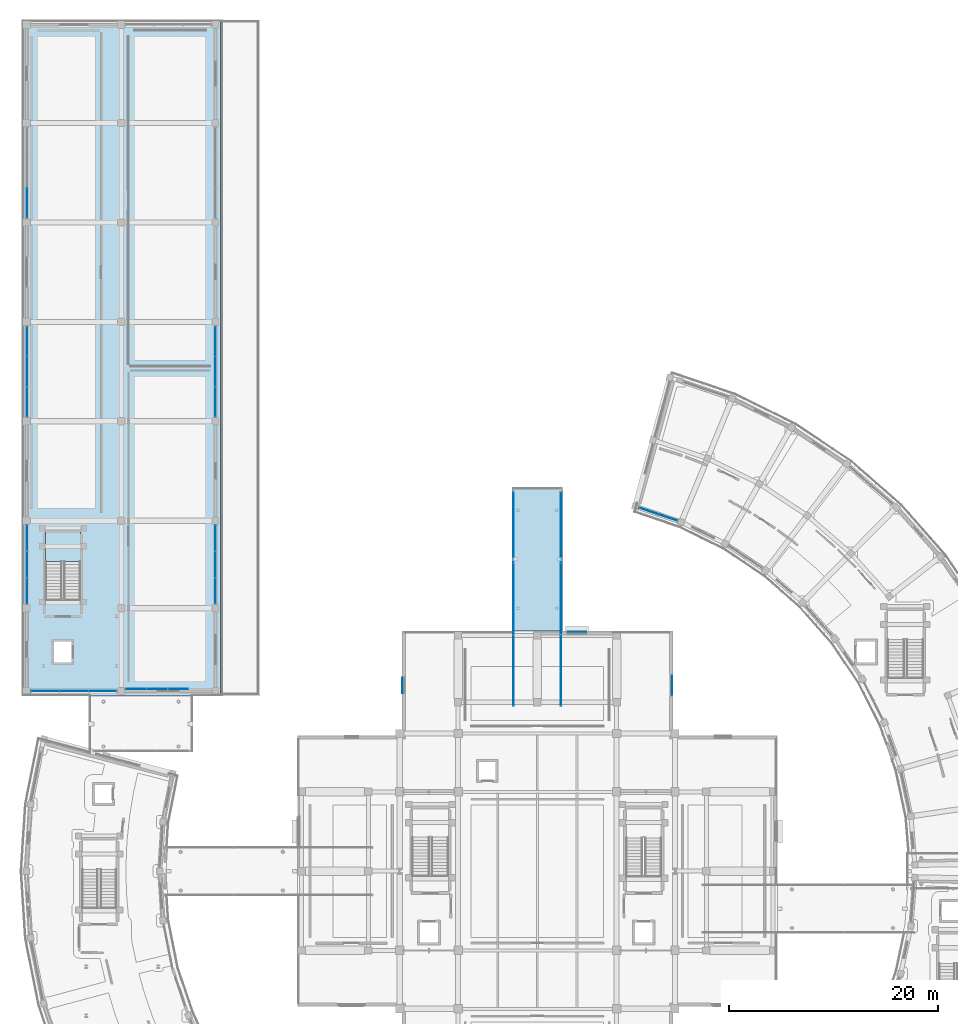
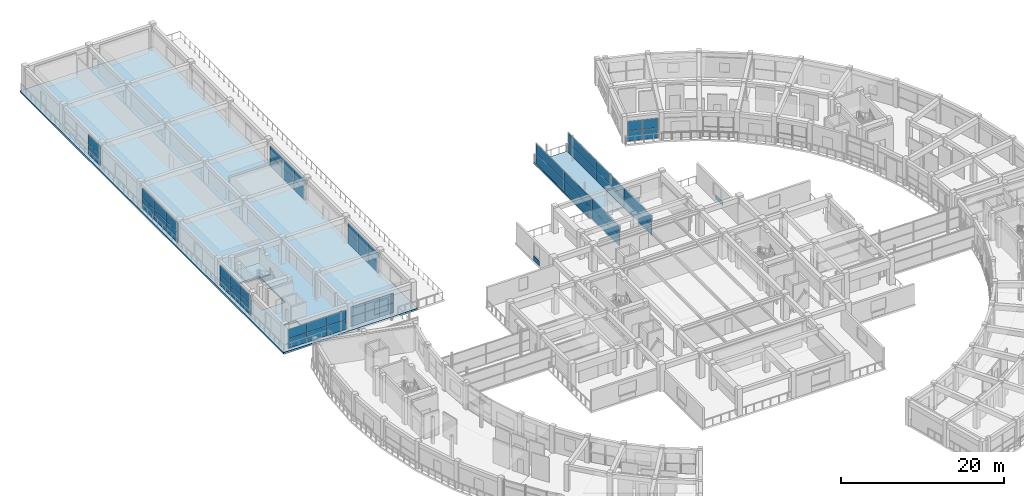
# One storey, part 41 of 70: 57 plates, 3 slabs, 11 elements without a shape of their own.
"""IFC4 building model written with IfcOpenShell, lengths in metres."""

from ifc_helpers import new_model, si_unit, direction, frame, origin, origin_2d, place, context, subcontext, project, spatial, polyline, rectangle, outline, extrude, material, layer, layer_set, type_object, element, aggregate, save


model = new_model("IFC4")

# Units and contexts
model_context = context("Model", 3, precision=1e-05, world=origin(), true_north=direction((0.0, 1.0)))
body_context = subcontext(model_context, "Body", "Model", "MODEL_VIEW")
ifc_project = project(units=[si_unit("LENGTHUNIT", "METRE"), si_unit("AREAUNIT", "SQUARE_METRE"), si_unit("VOLUMEUNIT", "CUBIC_METRE"), si_unit("PLANEANGLEUNIT", "RADIAN"), si_unit("MASSUNIT", "GRAM", prefix="KILO")], contexts=[model_context])

# Site, building, storey
site_placement = place(None, origin())
site = spatial("IfcSite", under=ifc_project, at=site_placement, CompositionType="ELEMENT")
building_placement = place(site_placement, origin())
building = spatial("IfcBuilding", under=site, at=building_placement, Name="Saryqyr Civic Hall", CompositionType="ELEMENT")
storey_placement = place(building_placement, frame((0.0, 0.0, 13.199951171875)))
storey = spatial("IfcBuildingStorey", under=building, at=storey_placement, Name="L03", CompositionType="ELEMENT", Elevation=13.199951171875)

# Curtain wall, plates
ifc_material_1 = material(Name="Anodised aluminium and triple low-E glass", Category="aluminium")
curtain_wall_type_1 = type_object("IfcCurtainWallType", Name="ENV-CW-STD-21", PredefinedType="NOTDEFINED", material=ifc_material_1)
curtain_wall_1_placement = place(storey_placement, origin())
curtain_wall_1 = element("IfcCurtainWall", 1, at=curtain_wall_1_placement, inside=storey, type_object=curtain_wall_type_1, Name="Curtain wall V6-CWI-L03-09", PredefinedType="NOTDEFINED")
ifc_material_2 = material(Name="Triple low-E insulated glazing", Category="glass")
ifc_layer_1 = layer(ifc_material_2, 0.053955078125, Name="Triple low-E insulated glazing")
ifc_layer_set_1 = layer_set([ifc_layer_1], Name="Triple low-E insulated glazing")
plate_type_1 = type_object("IfcPlateType", Name="ENV-CW-PNL-38", PredefinedType="CURTAIN_PANEL", material=ifc_layer_set_1)
plate_1_placement = place(storey_placement, frame((69.50634765625, 117.904541015625, 0.06005859375), z_axis=(0.0, 0.0, 1.0), x_axis=(-0.947202392558, 0.320636285428, 0.0)))
plate_1 = element("IfcPlate", 2, at=plate_1_placement, type_object=plate_type_1, Name="CW-21 panel 1.1", PredefinedType="CURTAIN_PANEL", context=body_context, shape_type="SweptSolid", body=[
    extrude(rectangle(XDim=1.888671875, YDim=0.053955078125, at=origin_2d()), origin(), (0.0, 0.0, 1.0), 1.491943359375),
])
plate_2_placement = place(storey_placement, frame((69.50634765625, 117.904541015625, 1.6123046875), z_axis=(0.0, 0.0, 1.0), x_axis=(-0.947202392558, 0.320636285428, 0.0)))
plate_2 = element("IfcPlate", 3, at=plate_2_placement, type_object=plate_type_1, Name="CW-21 panel 1.2", PredefinedType="CURTAIN_PANEL", context=body_context, shape_type="SweptSolid", body=[
    extrude(rectangle(XDim=1.888671875, YDim=0.053955078125, at=origin_2d()), origin(), (0.0, 0.0, 1.0), 1.492919921875),
])
plate_3_placement = place(storey_placement, frame((67.66064453125, 118.529296875, 0.06005859375), z_axis=(0.0, 0.0, 1.0), x_axis=(-0.947202392558, 0.320636285428, 0.0)))
plate_3 = element("IfcPlate", 4, at=plate_3_placement, type_object=plate_type_1, Name="CW-21 panel 2.1", PredefinedType="CURTAIN_PANEL", context=body_context, shape_type="SweptSolid", body=[
    extrude(rectangle(XDim=1.888671875, YDim=0.053955078125, at=origin_2d()), origin(), (0.0, 0.0, 1.0), 1.491943359375),
])
plate_4_placement = place(storey_placement, frame((67.66064453125, 118.529296875, 1.6123046875), z_axis=(0.0, 0.0, 1.0), x_axis=(-0.947202392558, 0.320636285428, 0.0)))
plate_4 = element("IfcPlate", 5, at=plate_4_placement, type_object=plate_type_1, Name="CW-21 panel 2.2", PredefinedType="CURTAIN_PANEL", context=body_context, shape_type="SweptSolid", body=[
    extrude(rectangle(XDim=1.888671875, YDim=0.053955078125, at=origin_2d()), origin(), (0.0, 0.0, 1.0), 1.492919921875),
])
aggregate(curtain_wall_1, [plate_1, plate_2, plate_3, plate_4])

curtain_wall_type_2 = type_object("IfcCurtainWallType", Name="ENV-CW-STD-51", PredefinedType="NOTDEFINED", material=ifc_material_1)
curtain_wall_2_placement = place(storey_placement, origin())
curtain_wall_2 = element("IfcCurtainWall", 6, at=curtain_wall_2_placement, inside=storey, type_object=curtain_wall_type_2, Name="Curtain wall V3-CW-L03-0-1", PredefinedType="NOTDEFINED")
plate_5_placement = place(storey_placement, frame((15.316650390625, 101.25, 0.06005859375), z_axis=(0.0, 0.0, 1.0), x_axis=(-1.0, 0.0, 0.0)))
plate_5 = element("IfcPlate", 7, at=plate_5_placement, type_object=plate_type_1, Name="CW-51 panel 1.1", PredefinedType="CURTAIN_PANEL", context=body_context, shape_type="SweptSolid", body=[
    extrude(rectangle(XDim=2.666748046875, YDim=0.053955078125, at=origin_2d()), origin(), (0.0, 0.0, 1.0), 1.4169921875),
])
plate_6_placement = place(storey_placement, frame((15.316650390625, 101.25, 1.537109375), z_axis=(0.0, 0.0, 1.0), x_axis=(-1.0, 0.0, 0.0)))
plate_6 = element("IfcPlate", 8, at=plate_6_placement, type_object=plate_type_1, Name="CW-51 panel 1.2", PredefinedType="CURTAIN_PANEL", context=body_context, shape_type="SweptSolid", body=[
    extrude(rectangle(XDim=2.666748046875, YDim=0.053955078125, at=origin_2d()), origin(), (0.0, 0.0, 1.0), 1.41796875),
])
plate_7_placement = place(storey_placement, frame((12.574951171875, 101.25, 0.06005859375), z_axis=(0.0, 0.0, 1.0), x_axis=(-1.0, 0.0, 0.0)))
plate_7 = element("IfcPlate", 9, at=plate_7_placement, type_object=plate_type_1, Name="CW-51 panel 2.1", PredefinedType="CURTAIN_PANEL", context=body_context, shape_type="SweptSolid", body=[
    extrude(rectangle(XDim=2.69677734375, YDim=0.053955078125, at=origin_2d()), origin(), (0.0, 0.0, 1.0), 1.4169921875),
])
plate_8_placement = place(storey_placement, frame((12.574951171875, 101.25, 1.537109375), z_axis=(0.0, 0.0, 1.0), x_axis=(-1.0, 0.0, 0.0)))
plate_8 = element("IfcPlate", 10, at=plate_8_placement, type_object=plate_type_1, Name="CW-51 panel 2.2", PredefinedType="CURTAIN_PANEL", context=body_context, shape_type="SweptSolid", body=[
    extrude(rectangle(XDim=2.69677734375, YDim=0.053955078125, at=origin_2d()), origin(), (0.0, 0.0, 1.0), 1.41796875),
])
plate_9_placement = place(storey_placement, frame((9.833251953125, 101.25, 0.06005859375), z_axis=(0.0, 0.0, 1.0), x_axis=(-1.0, 0.0, 0.0)))
plate_9 = element("IfcPlate", 11, at=plate_9_placement, type_object=plate_type_1, Name="CW-51 panel 3.1", PredefinedType="CURTAIN_PANEL", context=body_context, shape_type="SweptSolid", body=[
    extrude(rectangle(XDim=2.666748046875, YDim=0.053955078125, at=origin_2d()), origin(), (0.0, 0.0, 1.0), 1.4169921875),
])
plate_10_placement = place(storey_placement, frame((9.833251953125, 101.25, 1.537109375), z_axis=(0.0, 0.0, 1.0), x_axis=(-1.0, 0.0, 0.0)))
plate_10 = element("IfcPlate", 12, at=plate_10_placement, type_object=plate_type_1, Name="CW-51 panel 3.2", PredefinedType="CURTAIN_PANEL", context=body_context, shape_type="SweptSolid", body=[
    extrude(rectangle(XDim=2.666748046875, YDim=0.053955078125, at=origin_2d()), origin(), (0.0, 0.0, 1.0), 1.41796875),
])
aggregate(curtain_wall_2, [plate_5, plate_6, plate_7, plate_8, plate_9, plate_10])

curtain_wall_type_3 = type_object("IfcCurtainWallType", Name="ENV-CW-STD-52", PredefinedType="NOTDEFINED", material=ifc_material_1)
curtain_wall_3_placement = place(storey_placement, origin())
curtain_wall_3 = element("IfcCurtainWall", 13, at=curtain_wall_3_placement, inside=storey, type_object=curtain_wall_type_3, Name="Curtain wall V3-CW-L03-1-3", PredefinedType="NOTDEFINED")
plate_11_placement = place(storey_placement, frame((26.14990234375, 134.796630859375, 0.06005859375), z_axis=(0.0, 0.0, 1.0), x_axis=(0.0, -1.0, 0.0)))
plate_11 = element("IfcPlate", 14, at=plate_11_placement, type_object=plate_type_1, Name="CW-52 panel 1.1", PredefinedType="CURTAIN_PANEL", context=body_context, shape_type="SweptSolid", body=[
    extrude(rectangle(XDim=2.82666015625, YDim=0.053955078125, at=origin_2d()), origin(), (0.0, 0.0, 1.0), 1.491943359375),
])
plate_12_placement = place(storey_placement, frame((26.14990234375, 134.796630859375, 1.6123046875), z_axis=(0.0, 0.0, 1.0), x_axis=(0.0, -1.0, 0.0)))
plate_12 = element("IfcPlate", 15, at=plate_12_placement, type_object=plate_type_1, Name="CW-52 panel 1.2", PredefinedType="CURTAIN_PANEL", context=body_context, shape_type="SweptSolid", body=[
    extrude(rectangle(XDim=2.82666015625, YDim=0.053955078125, at=origin_2d()), origin(), (0.0, 0.0, 1.0), 1.492919921875),
])
plate_13_placement = place(storey_placement, frame((26.14990234375, 131.89501953125, 0.06005859375), z_axis=(0.0, 0.0, 1.0), x_axis=(0.0, -1.0, 0.0)))
plate_13 = element("IfcPlate", 16, at=plate_13_placement, type_object=plate_type_1, Name="CW-52 panel 2.1", PredefinedType="CURTAIN_PANEL", context=body_context, shape_type="SweptSolid", body=[
    extrude(rectangle(XDim=2.856689453125, YDim=0.053955078125, at=origin_2d()), origin(), (0.0, 0.0, 1.0), 1.491943359375),
])
plate_14_placement = place(storey_placement, frame((26.14990234375, 131.89501953125, 1.6123046875), z_axis=(0.0, 0.0, 1.0), x_axis=(0.0, -1.0, 0.0)))
plate_14 = element("IfcPlate", 17, at=plate_14_placement, type_object=plate_type_1, Name="CW-52 panel 2.2", PredefinedType="CURTAIN_PANEL", context=body_context, shape_type="SweptSolid", body=[
    extrude(rectangle(XDim=2.856689453125, YDim=0.053955078125, at=origin_2d()), origin(), (0.0, 0.0, 1.0), 1.492919921875),
])
plate_15_placement = place(storey_placement, frame((26.14990234375, 128.993408203125, 0.06005859375), z_axis=(0.0, 0.0, 1.0), x_axis=(0.0, -1.0, 0.0)))
plate_15 = element("IfcPlate", 18, at=plate_15_placement, type_object=plate_type_1, Name="CW-52 panel 3.1", PredefinedType="CURTAIN_PANEL", context=body_context, shape_type="SweptSolid", body=[
    extrude(rectangle(XDim=2.82666015625, YDim=0.053955078125, at=origin_2d()), origin(), (0.0, 0.0, 1.0), 1.491943359375),
])
plate_16_placement = place(storey_placement, frame((26.14990234375, 128.993408203125, 1.6123046875), z_axis=(0.0, 0.0, 1.0), x_axis=(0.0, -1.0, 0.0)))
plate_16 = element("IfcPlate", 19, at=plate_16_placement, type_object=plate_type_1, Name="CW-52 panel 3.2", PredefinedType="CURTAIN_PANEL", context=body_context, shape_type="SweptSolid", body=[
    extrude(rectangle(XDim=2.82666015625, YDim=0.053955078125, at=origin_2d()), origin(), (0.0, 0.0, 1.0), 1.492919921875),
])
aggregate(curtain_wall_3, [plate_11, plate_12, plate_13, plate_14, plate_15, plate_16])

curtain_wall_type_4 = type_object("IfcCurtainWallType", Name="ENV-CW-STD-53", PredefinedType="NOTDEFINED", material=ifc_material_1)
curtain_wall_4_placement = place(storey_placement, origin())
curtain_wall_4 = element("IfcCurtainWall", 20, at=curtain_wall_4_placement, inside=storey, type_object=curtain_wall_type_4, Name="Curtain wall V3-CW-L03-1-5", PredefinedType="NOTDEFINED")
plate_17_placement = place(storey_placement, frame((26.14990234375, 115.925048828125, 0.06005859375), z_axis=(0.0, 0.0, 1.0), x_axis=(0.0, -1.0, 0.0)))
plate_17 = element("IfcPlate", 21, at=plate_17_placement, type_object=plate_type_1, Name="CW-53 panel 1.1", PredefinedType="CURTAIN_PANEL", context=body_context, shape_type="SweptSolid", body=[
    extrude(rectangle(XDim=2.449951171875, YDim=0.053955078125, at=origin_2d()), origin(), (0.0, 0.0, 1.0), 1.491943359375),
])
plate_18_placement = place(storey_placement, frame((26.14990234375, 115.925048828125, 1.6123046875), z_axis=(0.0, 0.0, 1.0), x_axis=(0.0, -1.0, 0.0)))
plate_18 = element("IfcPlate", 22, at=plate_18_placement, type_object=plate_type_1, Name="CW-53 panel 1.2", PredefinedType="CURTAIN_PANEL", context=body_context, shape_type="SweptSolid", body=[
    extrude(rectangle(XDim=2.449951171875, YDim=0.053955078125, at=origin_2d()), origin(), (0.0, 0.0, 1.0), 1.492919921875),
])
plate_19_placement = place(storey_placement, frame((26.14990234375, 113.39990234375, 0.06005859375), z_axis=(0.0, 0.0, 1.0), x_axis=(0.0, -1.0, 0.0)))
plate_19 = element("IfcPlate", 23, at=plate_19_placement, type_object=plate_type_1, Name="CW-53 panel 2.1", PredefinedType="CURTAIN_PANEL", context=body_context, shape_type="SweptSolid", body=[
    extrude(rectangle(XDim=2.47998046875, YDim=0.053955078125, at=origin_2d()), origin(), (0.0, 0.0, 1.0), 1.491943359375),
])
plate_20_placement = place(storey_placement, frame((26.14990234375, 113.39990234375, 1.6123046875), z_axis=(0.0, 0.0, 1.0), x_axis=(0.0, -1.0, 0.0)))
plate_20 = element("IfcPlate", 24, at=plate_20_placement, type_object=plate_type_1, Name="CW-53 panel 2.2", PredefinedType="CURTAIN_PANEL", context=body_context, shape_type="SweptSolid", body=[
    extrude(rectangle(XDim=2.47998046875, YDim=0.053955078125, at=origin_2d()), origin(), (0.0, 0.0, 1.0), 1.492919921875),
])
plate_21_placement = place(storey_placement, frame((26.14990234375, 110.875, 0.06005859375), z_axis=(0.0, 0.0, 1.0), x_axis=(0.0, -1.0, 0.0)))
plate_21 = element("IfcPlate", 25, at=plate_21_placement, type_object=plate_type_1, Name="CW-53 panel 3.1", PredefinedType="CURTAIN_PANEL", context=body_context, shape_type="SweptSolid", body=[
    extrude(rectangle(XDim=2.449951171875, YDim=0.053955078125, at=origin_2d()), origin(), (0.0, 0.0, 1.0), 1.491943359375),
])
plate_22_placement = place(storey_placement, frame((26.14990234375, 110.875, 1.6123046875), z_axis=(0.0, 0.0, 1.0), x_axis=(0.0, -1.0, 0.0)))
plate_22 = element("IfcPlate", 26, at=plate_22_placement, type_object=plate_type_1, Name="CW-53 panel 3.2", PredefinedType="CURTAIN_PANEL", context=body_context, shape_type="SweptSolid", body=[
    extrude(rectangle(XDim=2.449951171875, YDim=0.053955078125, at=origin_2d()), origin(), (0.0, 0.0, 1.0), 1.492919921875),
])
aggregate(curtain_wall_4, [plate_17, plate_18, plate_19, plate_20, plate_21, plate_22])

curtain_wall_5_placement = place(storey_placement, origin())
curtain_wall_5 = element("IfcCurtainWall", 27, at=curtain_wall_5_placement, inside=storey, type_object=curtain_wall_type_4, Name="Curtain wall V3-CW-L03-3-1", PredefinedType="NOTDEFINED")
plate_23_placement = place(storey_placement, frame((8.050048828125, 110.875, 0.06005859375), z_axis=(0.0, 0.0, 1.0), x_axis=(0.0, 1.0, 0.0)))
plate_23 = element("IfcPlate", 28, at=plate_23_placement, type_object=plate_type_1, Name="CW-53 panel 1.1", PredefinedType="CURTAIN_PANEL", context=body_context, shape_type="SweptSolid", body=[
    extrude(rectangle(XDim=2.449951171875, YDim=0.053955078125, at=origin_2d()), origin(), (0.0, 0.0, 1.0), 1.491943359375),
])
plate_24_placement = place(storey_placement, frame((8.050048828125, 110.875, 1.6123046875), z_axis=(0.0, 0.0, 1.0), x_axis=(0.0, 1.0, 0.0)))
plate_24 = element("IfcPlate", 29, at=plate_24_placement, type_object=plate_type_1, Name="CW-53 panel 1.2", PredefinedType="CURTAIN_PANEL", context=body_context, shape_type="SweptSolid", body=[
    extrude(rectangle(XDim=2.449951171875, YDim=0.053955078125, at=origin_2d()), origin(), (0.0, 0.0, 1.0), 1.492919921875),
])
plate_25_placement = place(storey_placement, frame((8.050048828125, 113.39990234375, 0.06005859375), z_axis=(0.0, 0.0, 1.0), x_axis=(0.0, 1.0, 0.0)))
plate_25 = element("IfcPlate", 30, at=plate_25_placement, type_object=plate_type_1, Name="CW-53 panel 2.1", PredefinedType="CURTAIN_PANEL", context=body_context, shape_type="SweptSolid", body=[
    extrude(rectangle(XDim=2.47998046875, YDim=0.053955078125, at=origin_2d()), origin(), (0.0, 0.0, 1.0), 1.491943359375),
])
plate_26_placement = place(storey_placement, frame((8.050048828125, 113.39990234375, 1.6123046875), z_axis=(0.0, 0.0, 1.0), x_axis=(0.0, 1.0, 0.0)))
plate_26 = element("IfcPlate", 31, at=plate_26_placement, type_object=plate_type_1, Name="CW-53 panel 2.2", PredefinedType="CURTAIN_PANEL", context=body_context, shape_type="SweptSolid", body=[
    extrude(rectangle(XDim=2.47998046875, YDim=0.053955078125, at=origin_2d()), origin(), (0.0, 0.0, 1.0), 1.492919921875),
])
plate_27_placement = place(storey_placement, frame((8.050048828125, 115.925048828125, 0.06005859375), z_axis=(0.0, 0.0, 1.0), x_axis=(0.0, 1.0, 0.0)))
plate_27 = element("IfcPlate", 32, at=plate_27_placement, type_object=plate_type_1, Name="CW-53 panel 3.1", PredefinedType="CURTAIN_PANEL", context=body_context, shape_type="SweptSolid", body=[
    extrude(rectangle(XDim=2.449951171875, YDim=0.053955078125, at=origin_2d()), origin(), (0.0, 0.0, 1.0), 1.491943359375),
])
plate_28_placement = place(storey_placement, frame((8.050048828125, 115.925048828125, 1.6123046875), z_axis=(0.0, 0.0, 1.0), x_axis=(0.0, 1.0, 0.0)))
plate_28 = element("IfcPlate", 33, at=plate_28_placement, type_object=plate_type_1, Name="CW-53 panel 3.2", PredefinedType="CURTAIN_PANEL", context=body_context, shape_type="SweptSolid", body=[
    extrude(rectangle(XDim=2.449951171875, YDim=0.053955078125, at=origin_2d()), origin(), (0.0, 0.0, 1.0), 1.492919921875),
])
aggregate(curtain_wall_5, [plate_23, plate_24, plate_25, plate_26, plate_27, plate_28])

curtain_wall_6_placement = place(storey_placement, origin())
curtain_wall_6 = element("IfcCurtainWall", 34, at=curtain_wall_6_placement, inside=storey, type_object=curtain_wall_type_3, Name="Curtain wall V3-CW-L03-3-3", PredefinedType="NOTDEFINED")
plate_29_placement = place(storey_placement, frame((8.050048828125, 128.993408203125, 0.06005859375), z_axis=(0.0, 0.0, 1.0), x_axis=(0.0, 1.0, 0.0)))
plate_29 = element("IfcPlate", 35, at=plate_29_placement, type_object=plate_type_1, Name="CW-52 panel 1.1", PredefinedType="CURTAIN_PANEL", context=body_context, shape_type="SweptSolid", body=[
    extrude(rectangle(XDim=2.82666015625, YDim=0.053955078125, at=origin_2d()), origin(), (0.0, 0.0, 1.0), 1.491943359375),
])
plate_30_placement = place(storey_placement, frame((8.050048828125, 128.993408203125, 1.6123046875), z_axis=(0.0, 0.0, 1.0), x_axis=(0.0, 1.0, 0.0)))
plate_30 = element("IfcPlate", 36, at=plate_30_placement, type_object=plate_type_1, Name="CW-52 panel 1.2", PredefinedType="CURTAIN_PANEL", context=body_context, shape_type="SweptSolid", body=[
    extrude(rectangle(XDim=2.82666015625, YDim=0.053955078125, at=origin_2d()), origin(), (0.0, 0.0, 1.0), 1.492919921875),
])
plate_31_placement = place(storey_placement, frame((8.050048828125, 131.89501953125, 0.06005859375), z_axis=(0.0, 0.0, 1.0), x_axis=(0.0, 1.0, 0.0)))
plate_31 = element("IfcPlate", 37, at=plate_31_placement, type_object=plate_type_1, Name="CW-52 panel 2.1", PredefinedType="CURTAIN_PANEL", context=body_context, shape_type="SweptSolid", body=[
    extrude(rectangle(XDim=2.856689453125, YDim=0.053955078125, at=origin_2d()), origin(), (0.0, 0.0, 1.0), 1.491943359375),
])
plate_32_placement = place(storey_placement, frame((8.050048828125, 131.89501953125, 1.6123046875), z_axis=(0.0, 0.0, 1.0), x_axis=(0.0, 1.0, 0.0)))
plate_32 = element("IfcPlate", 38, at=plate_32_placement, type_object=plate_type_1, Name="CW-52 panel 2.2", PredefinedType="CURTAIN_PANEL", context=body_context, shape_type="SweptSolid", body=[
    extrude(rectangle(XDim=2.856689453125, YDim=0.053955078125, at=origin_2d()), origin(), (0.0, 0.0, 1.0), 1.492919921875),
])
plate_33_placement = place(storey_placement, frame((8.050048828125, 134.796630859375, 0.06005859375), z_axis=(0.0, 0.0, 1.0), x_axis=(0.0, 1.0, 0.0)))
plate_33 = element("IfcPlate", 39, at=plate_33_placement, type_object=plate_type_1, Name="CW-52 panel 3.1", PredefinedType="CURTAIN_PANEL", context=body_context, shape_type="SweptSolid", body=[
    extrude(rectangle(XDim=2.82666015625, YDim=0.053955078125, at=origin_2d()), origin(), (0.0, 0.0, 1.0), 1.491943359375),
])
plate_34_placement = place(storey_placement, frame((8.050048828125, 134.796630859375, 1.6123046875), z_axis=(0.0, 0.0, 1.0), x_axis=(0.0, 1.0, 0.0)))
plate_34 = element("IfcPlate", 40, at=plate_34_placement, type_object=plate_type_1, Name="CW-52 panel 3.2", PredefinedType="CURTAIN_PANEL", context=body_context, shape_type="SweptSolid", body=[
    extrude(rectangle(XDim=2.82666015625, YDim=0.053955078125, at=origin_2d()), origin(), (0.0, 0.0, 1.0), 1.492919921875),
])
aggregate(curtain_wall_6, [plate_29, plate_30, plate_31, plate_32, plate_33, plate_34])

curtain_wall_7_placement = place(storey_placement, origin())
curtain_wall_7 = element("IfcCurtainWall", 41, at=curtain_wall_7_placement, inside=storey, type_object=curtain_wall_type_3, Name="Curtain wall V3-CW-L03-3-5", PredefinedType="NOTDEFINED")
plate_35_placement = place(storey_placement, frame((8.050048828125, 148.05322265625, 0.06005859375), z_axis=(0.0, 0.0, 1.0), x_axis=(0.0, 1.0, 0.0)))
plate_35 = element("IfcPlate", 42, at=plate_35_placement, type_object=plate_type_1, Name="CW-52 panel 1.1", PredefinedType="CURTAIN_PANEL", context=body_context, shape_type="SweptSolid", body=[
    extrude(rectangle(XDim=2.82666015625, YDim=0.053955078125, at=origin_2d()), origin(), (0.0, 0.0, 1.0), 1.491943359375),
])
plate_36_placement = place(storey_placement, frame((8.050048828125, 148.05322265625, 1.6123046875), z_axis=(0.0, 0.0, 1.0), x_axis=(0.0, 1.0, 0.0)))
plate_36 = element("IfcPlate", 43, at=plate_36_placement, type_object=plate_type_1, Name="CW-52 panel 1.2", PredefinedType="CURTAIN_PANEL", context=body_context, shape_type="SweptSolid", body=[
    extrude(rectangle(XDim=2.82666015625, YDim=0.053955078125, at=origin_2d()), origin(), (0.0, 0.0, 1.0), 1.492919921875),
])
aggregate(curtain_wall_7, [plate_35, plate_36])

curtain_wall_type_5 = type_object("IfcCurtainWallType", Name="ENV-CW-STD-85", PredefinedType="NOTDEFINED", material=ifc_material_1)
curtain_wall_8_placement = place(storey_placement, origin())
curtain_wall_8 = element("IfcCurtainWall", 44, at=curtain_wall_8_placement, inside=storey, type_object=curtain_wall_type_5, Name="Curtain wall BR-NW-CW2-L03", PredefinedType="NOTDEFINED")
plate_37_placement = place(storey_placement, frame((18.5234375, 101.47998046875, 0.06005859375), z_axis=(0.0, 0.0, 1.0), x_axis=(1.0, 0.0, 0.0)))
plate_37 = element("IfcPlate", 45, at=plate_37_placement, type_object=plate_type_1, Name="CW-85 panel 1.1", PredefinedType="CURTAIN_PANEL", context=body_context, shape_type="SweptSolid", body=[
    extrude(rectangle(XDim=1.94677734375, YDim=0.053955078125, at=origin_2d()), origin(), (0.0, 0.0, 1.0), 1.4169921875),
])
plate_38_placement = place(storey_placement, frame((18.5234375, 101.47998046875, 1.537109375), z_axis=(0.0, 0.0, 1.0), x_axis=(1.0, 0.0, 0.0)))
plate_38 = element("IfcPlate", 46, at=plate_38_placement, type_object=plate_type_1, Name="CW-85 panel 1.2", PredefinedType="CURTAIN_PANEL", context=body_context, shape_type="SweptSolid", body=[
    extrude(rectangle(XDim=1.94677734375, YDim=0.053955078125, at=origin_2d()), origin(), (0.0, 0.0, 1.0), 1.41796875),
])
plate_39_placement = place(storey_placement, frame((20.544921875, 101.47998046875, 0.06005859375), z_axis=(0.0, 0.0, 1.0), x_axis=(1.0, 0.0, 0.0)))
plate_39 = element("IfcPlate", 47, at=plate_39_placement, type_object=plate_type_1, Name="CW-85 panel 2.1", PredefinedType="CURTAIN_PANEL", context=body_context, shape_type="SweptSolid", body=[
    extrude(rectangle(XDim=1.9765625, YDim=0.053955078125, at=origin_2d()), origin(), (0.0, 0.0, 1.0), 1.4169921875),
])
plate_40_placement = place(storey_placement, frame((20.544921875, 101.47998046875, 1.537109375), z_axis=(0.0, 0.0, 1.0), x_axis=(1.0, 0.0, 0.0)))
plate_40 = element("IfcPlate", 48, at=plate_40_placement, type_object=plate_type_1, Name="CW-85 panel 2.2", PredefinedType="CURTAIN_PANEL", context=body_context, shape_type="SweptSolid", body=[
    extrude(rectangle(XDim=1.9765625, YDim=0.053955078125, at=origin_2d()), origin(), (0.0, 0.0, 1.0), 1.41796875),
])
plate_41_placement = place(storey_placement, frame((22.566650390625, 101.47998046875, 0.06005859375), z_axis=(0.0, 0.0, 1.0), x_axis=(1.0, 0.0, 0.0)))
plate_41 = element("IfcPlate", 49, at=plate_41_placement, type_object=plate_type_1, Name="CW-85 panel 3.1", PredefinedType="CURTAIN_PANEL", context=body_context, shape_type="SweptSolid", body=[
    extrude(rectangle(XDim=1.94677734375, YDim=0.053955078125, at=origin_2d()), origin(), (0.0, 0.0, 1.0), 1.4169921875),
])
plate_42_placement = place(storey_placement, frame((22.566650390625, 101.47998046875, 1.537109375), z_axis=(0.0, 0.0, 1.0), x_axis=(1.0, 0.0, 0.0)))
plate_42 = element("IfcPlate", 50, at=plate_42_placement, type_object=plate_type_1, Name="CW-85 panel 3.2", PredefinedType="CURTAIN_PANEL", context=body_context, shape_type="SweptSolid", body=[
    extrude(rectangle(XDim=1.94677734375, YDim=0.053955078125, at=origin_2d()), origin(), (0.0, 0.0, 1.0), 1.41796875),
])
aggregate(curtain_wall_8, [plate_37, plate_38, plate_39, plate_40, plate_41, plate_42])

curtain_wall_type_6 = type_object("IfcCurtainWallType", Name="ENV-CW-STD-88", PredefinedType="NOTDEFINED", material=ifc_material_1)
curtain_wall_9_placement = place(storey_placement, origin())
curtain_wall_9 = element("IfcCurtainWall", 51, at=curtain_wall_9_placement, inside=storey, type_object=curtain_wall_type_6, Name="Curtain wall BR-CN-CW1-L03", PredefinedType="NOTDEFINED")
plate_43_placement = place(storey_placement, frame((54.719970703125, 103.248291015625, 0.06005859375), z_axis=(0.0, 0.0, 1.0), x_axis=(0.0, 1.0, 0.0)))
plate_43 = element("IfcPlate", 52, at=plate_43_placement, type_object=plate_type_1, Name="CW-88 panel 1.1", PredefinedType="CURTAIN_PANEL", context=body_context, shape_type="SweptSolid", body=[
    extrude(rectangle(XDim=6.776611328125, YDim=0.053955078125, at=origin_2d()), origin(), (0.0, 0.0, 1.0), 1.4599609375),
])
plate_44_placement = place(storey_placement, frame((54.719970703125, 103.248291015625, 1.580078125), z_axis=(0.0, 0.0, 1.0), x_axis=(0.0, 1.0, 0.0)))
plate_44 = element("IfcPlate", 53, at=plate_44_placement, type_object=plate_type_1, Name="CW-88 panel 1.2", PredefinedType="CURTAIN_PANEL", context=body_context, shape_type="SweptSolid", body=[
    extrude(rectangle(XDim=6.776611328125, YDim=0.053955078125, at=origin_2d()), origin(), (0.0, 0.0, 1.0), 1.4599609375),
])
plate_45_placement = place(storey_placement, frame((54.719970703125, 110.10009765625, 0.06005859375), z_axis=(0.0, 0.0, 1.0), x_axis=(0.0, 1.0, 0.0)))
plate_45 = element("IfcPlate", 54, at=plate_45_placement, type_object=plate_type_1, Name="CW-88 panel 2.1", PredefinedType="CURTAIN_PANEL", context=body_context, shape_type="SweptSolid", body=[
    extrude(rectangle(XDim=6.806640625, YDim=0.053955078125, at=origin_2d()), origin(), (0.0, 0.0, 1.0), 1.4599609375),
])
plate_46_placement = place(storey_placement, frame((54.719970703125, 110.10009765625, 1.580078125), z_axis=(0.0, 0.0, 1.0), x_axis=(0.0, 1.0, 0.0)))
plate_46 = element("IfcPlate", 55, at=plate_46_placement, type_object=plate_type_1, Name="CW-88 panel 2.2", PredefinedType="CURTAIN_PANEL", context=body_context, shape_type="SweptSolid", body=[
    extrude(rectangle(XDim=6.806640625, YDim=0.053955078125, at=origin_2d()), origin(), (0.0, 0.0, 1.0), 1.4599609375),
])
plate_47_placement = place(storey_placement, frame((54.719970703125, 116.95166015625, 0.06005859375), z_axis=(0.0, 0.0, 1.0), x_axis=(0.0, 1.0, 0.0)))
plate_47 = element("IfcPlate", 56, at=plate_47_placement, type_object=plate_type_1, Name="CW-88 panel 3.1", PredefinedType="CURTAIN_PANEL", context=body_context, shape_type="SweptSolid", body=[
    extrude(rectangle(XDim=6.776611328125, YDim=0.053955078125, at=origin_2d()), origin(), (0.0, 0.0, 1.0), 1.4599609375),
])
plate_48_placement = place(storey_placement, frame((54.719970703125, 116.95166015625, 1.580078125), z_axis=(0.0, 0.0, 1.0), x_axis=(0.0, 1.0, 0.0)))
plate_48 = element("IfcPlate", 57, at=plate_48_placement, type_object=plate_type_1, Name="CW-88 panel 3.2", PredefinedType="CURTAIN_PANEL", context=body_context, shape_type="SweptSolid", body=[
    extrude(rectangle(XDim=6.776611328125, YDim=0.053955078125, at=origin_2d()), origin(), (0.0, 0.0, 1.0), 1.4599609375),
])
aggregate(curtain_wall_9, [plate_43, plate_44, plate_45, plate_46, plate_47, plate_48])

curtain_wall_10_placement = place(storey_placement, origin())
curtain_wall_10 = element("IfcCurtainWall", 58, at=curtain_wall_10_placement, inside=storey, type_object=curtain_wall_type_6, Name="Curtain wall BR-CN-CW2-L03", PredefinedType="NOTDEFINED")
plate_49_placement = place(storey_placement, frame((59.280029296875, 116.95166015625, 0.06005859375), z_axis=(0.0, 0.0, 1.0), x_axis=(0.0, -1.0, 0.0)))
plate_49 = element("IfcPlate", 59, at=plate_49_placement, type_object=plate_type_1, Name="CW-88 panel 1.1", PredefinedType="CURTAIN_PANEL", context=body_context, shape_type="SweptSolid", body=[
    extrude(rectangle(XDim=6.776611328125, YDim=0.053955078125, at=origin_2d()), origin(), (0.0, 0.0, 1.0), 1.4599609375),
])
plate_50_placement = place(storey_placement, frame((59.280029296875, 116.95166015625, 1.580078125), z_axis=(0.0, 0.0, 1.0), x_axis=(0.0, -1.0, 0.0)))
plate_50 = element("IfcPlate", 60, at=plate_50_placement, type_object=plate_type_1, Name="CW-88 panel 1.2", PredefinedType="CURTAIN_PANEL", context=body_context, shape_type="SweptSolid", body=[
    extrude(rectangle(XDim=6.776611328125, YDim=0.053955078125, at=origin_2d()), origin(), (0.0, 0.0, 1.0), 1.4599609375),
])
plate_51_placement = place(storey_placement, frame((59.280029296875, 110.10009765625, 0.06005859375), z_axis=(0.0, 0.0, 1.0), x_axis=(0.0, -1.0, 0.0)))
plate_51 = element("IfcPlate", 61, at=plate_51_placement, type_object=plate_type_1, Name="CW-88 panel 2.1", PredefinedType="CURTAIN_PANEL", context=body_context, shape_type="SweptSolid", body=[
    extrude(rectangle(XDim=6.806640625, YDim=0.053955078125, at=origin_2d()), origin(), (0.0, 0.0, 1.0), 1.4599609375),
])
plate_52_placement = place(storey_placement, frame((59.280029296875, 110.10009765625, 1.580078125), z_axis=(0.0, 0.0, 1.0), x_axis=(0.0, -1.0, 0.0)))
plate_52 = element("IfcPlate", 62, at=plate_52_placement, type_object=plate_type_1, Name="CW-88 panel 2.2", PredefinedType="CURTAIN_PANEL", context=body_context, shape_type="SweptSolid", body=[
    extrude(rectangle(XDim=6.806640625, YDim=0.053955078125, at=origin_2d()), origin(), (0.0, 0.0, 1.0), 1.4599609375),
])
plate_53_placement = place(storey_placement, frame((59.280029296875, 103.248291015625, 0.06005859375), z_axis=(0.0, 0.0, 1.0), x_axis=(0.0, -1.0, 0.0)))
plate_53 = element("IfcPlate", 63, at=plate_53_placement, type_object=plate_type_1, Name="CW-88 panel 3.1", PredefinedType="CURTAIN_PANEL", context=body_context, shape_type="SweptSolid", body=[
    extrude(rectangle(XDim=6.776611328125, YDim=0.053955078125, at=origin_2d()), origin(), (0.0, 0.0, 1.0), 1.4599609375),
])
plate_54_placement = place(storey_placement, frame((59.280029296875, 103.248291015625, 1.580078125), z_axis=(0.0, 0.0, 1.0), x_axis=(0.0, -1.0, 0.0)))
plate_54 = element("IfcPlate", 64, at=plate_54_placement, type_object=plate_type_1, Name="CW-88 panel 3.2", PredefinedType="CURTAIN_PANEL", context=body_context, shape_type="SweptSolid", body=[
    extrude(rectangle(XDim=6.776611328125, YDim=0.053955078125, at=origin_2d()), origin(), (0.0, 0.0, 1.0), 1.4599609375),
])
aggregate(curtain_wall_10, [plate_49, plate_50, plate_51, plate_52, plate_53, plate_54])

# Plates
ifc_material_3 = material(Name="Warm brushed brass-anodised aluminium", Category="aluminium")
ifc_layer_2 = layer(ifc_material_3, 0.008056640625, Name="Warm brushed brass-anodised aluminium")
ifc_layer_set_2 = layer_set([ifc_layer_2], Name="Warm brushed brass-anodised aluminium")
plate_type_2 = type_object("IfcPlateType", Name="ENV-PLT-BRASS-1", PredefinedType="SHEET", material=ifc_layer_set_2)
plate_55_placement = place(storey_placement, frame((69.947021484375, 101.800048828125, 0.080078125), z_axis=(0.0, 0.0, 1.0), x_axis=(0.0, -1.0, 0.0)))
element("IfcPlate", 65, at=plate_55_placement, inside=storey, type_object=plate_type_2, Name="Warm brass spandrel cladding sheet L03-06", PredefinedType="SHEET", context=body_context, shape_type="SweptSolid", body=[
    extrude(rectangle(XDim=1.800048828125, YDim=0.008056640625, at=origin_2d()), origin(), (0.0, 0.0, 1.0), 0.679931640625),
])
ifc_layer_3 = layer(ifc_material_3, 0.02001953125, Name="Warm brushed brass-anodised aluminium")
ifc_layer_set_3 = layer_set([ifc_layer_3], Name="Warm brushed brass-anodised aluminium")
plate_type_3 = type_object("IfcPlateType", Name="ENV-PLT-BRASS-2", PredefinedType="SHEET", material=ifc_layer_set_3)
plate_56_placement = place(storey_placement, frame((44.047119140625, 101.800048828125, 0.080078125), z_axis=(0.0, 0.0, 1.0), x_axis=(0.0, 1.0, 0.0)))
element("IfcPlate", 66, at=plate_56_placement, inside=storey, type_object=plate_type_3, Name="Warm brass spandrel cladding sheet L03-04", PredefinedType="SHEET", context=body_context, shape_type="SweptSolid", body=[
    extrude(rectangle(XDim=1.5, YDim=0.02001953125, at=origin_2d()), origin(), (0.0, 0.0, 1.0), 0.679931640625),
])
ifc_layer_4 = layer(ifc_material_3, 0.031982421875, Name="Warm brushed brass-anodised aluminium")
ifc_layer_set_4 = layer_set([ifc_layer_4], Name="Warm brushed brass-anodised aluminium")
plate_type_4 = type_object("IfcPlateType", Name="ENV-PLT-BRASS-3", PredefinedType="SHEET", material=ifc_layer_set_4)
plate_57_placement = place(storey_placement, frame((60.800048828125, 106.958984375, 0.080078125), z_axis=(0.0, 0.0, 1.0), x_axis=(1.0, 0.0, 0.0)))
element("IfcPlate", 67, at=plate_57_placement, inside=storey, type_object=plate_type_4, Name="Warm brass spandrel cladding sheet L03-05", PredefinedType="SHEET", context=body_context, shape_type="SweptSolid", body=[
    extrude(rectangle(XDim=1.75, YDim=0.031982421875, at=origin_2d()), origin(), (0.0, 0.0, 1.0), 0.679931640625),
])

# Slabs
ifc_material_4 = material(Name="Concrete C35/45", Category="concrete")
ifc_layer_5 = layer(ifc_material_4, 0.22998046875, Name="Concrete C35/45")
ifc_layer_set_5 = layer_set([ifc_layer_5], Name="Concrete C35/45")
slab_type_1 = type_object("IfcSlabType", Name="STR-SLB-FLR-230", PredefinedType="FLOOR", material=ifc_layer_set_5)
slab_1_placement = place(storey_placement, frame((0.0, 0.0, -0.22998046875)))
element("IfcSlab", 68, at=slab_1_placement, inside=storey, type_object=slab_type_1, Name="Slab SLB-BR-CN-L03", PredefinedType="FLOOR", context=body_context, shape_type="SweptSolid", body=[
    extrude(outline(polyline([(54.60009765625, 120.800048828125), (59.39990234375, 120.800048828125), (59.39990234375, 107.0), (54.60009765625, 107.0), (54.60009765625, 120.800048828125)])), origin(), (0.0, 0.0, 1.0), 0.22998046875),
])
ifc_layer_6 = layer(ifc_material_4, 0.260009765625, Name="Concrete C35/45")
ifc_layer_set_6 = layer_set([ifc_layer_6], Name="Concrete C35/45")
slab_type_2 = type_object("IfcSlabType", Name="STR-SLB-FLR-260", PredefinedType="FLOOR", material=ifc_layer_set_6)
slab_2_placement = place(storey_placement, frame((0.0, 0.0, -0.260009765625)))
element("IfcSlab", 69, at=slab_2_placement, inside=storey, type_object=slab_type_2, Name="Slab SLB-V3-L03", PredefinedType="FLOOR", context=body_context, shape_type="SweptSolid", body=[
    extrude(outline(polyline([(26.60009765625, 165.60009765625), (26.60009765625, 100.800048828125), (7.60009765625, 100.800048828125), (7.60009765625, 165.60009765625), (26.60009765625, 165.60009765625)]), holes=[polyline([(12.39990234375, 103.949951171875), (12.39990234375, 106.050048828125), (10.60009765625, 106.050048828125), (10.60009765625, 103.949951171875), (12.39990234375, 103.949951171875)]), polyline([(9.840087890625, 116.5), (9.840087890625, 110.080078125), (13.199951171875, 110.080078125), (13.199951171875, 116.5), (9.840087890625, 116.5)])]), origin(), (0.0, 0.0, 1.0), 0.260009765625),
])

# Stair, slab
stair_type = type_object("IfcStairType", Name="INT-STR-ST-3", PredefinedType="HALF_TURN_STAIR", material=ifc_material_4)
stair_placement = place(storey_placement, origin())
stair = element("IfcStair", 70, at=stair_placement, inside=storey, type_object=stair_type, Name="L03 Protected Exit Stair ST-3", PredefinedType="HALF_TURN_STAIR")
ifc_layer_7 = layer(ifc_material_4, 0.199951171875, Name="Concrete C35/45")
ifc_layer_set_7 = layer_set([ifc_layer_7], Name="Concrete C35/45")
slab_type_3 = type_object("IfcSlabType", Name="STR-SLB-LND-200", PredefinedType="LANDING", material=ifc_layer_set_7)
slab_3_placement = place(storey_placement, frame((0.0, 0.0, 1.824951171875)))
slab_3 = element("IfcSlab", 71, at=slab_3_placement, type_object=slab_type_3, Name="ST-3 landing 1", PredefinedType="LANDING", context=body_context, shape_type="SweptSolid", body=[
    extrude(outline(polyline([(13.199951171875, 113.679931640625), (13.199951171875, 116.5), (9.840087890625, 116.5), (9.840087890625, 113.679931640625), (13.199951171875, 113.679931640625)])), origin(), (0.0, 0.0, 1.0), 0.2001953125),
])
aggregate(stair, [slab_3])

save(model, "model.ifc")
